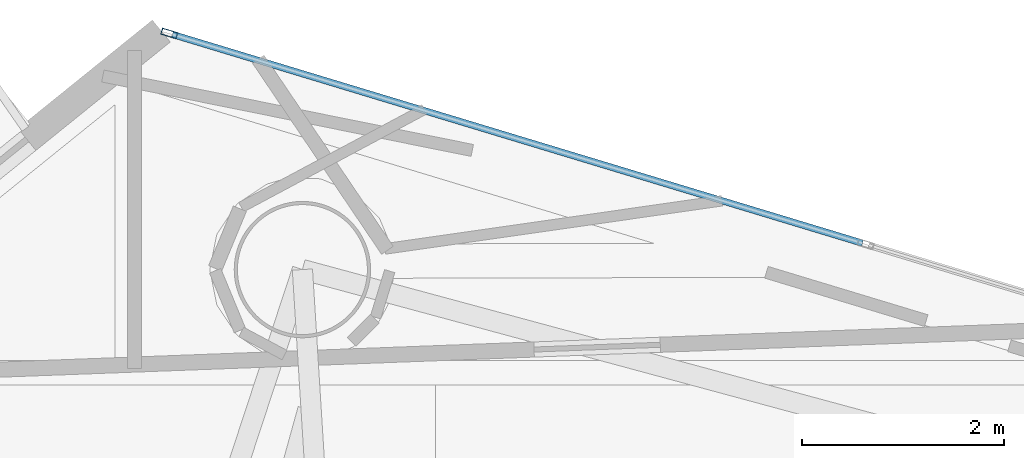
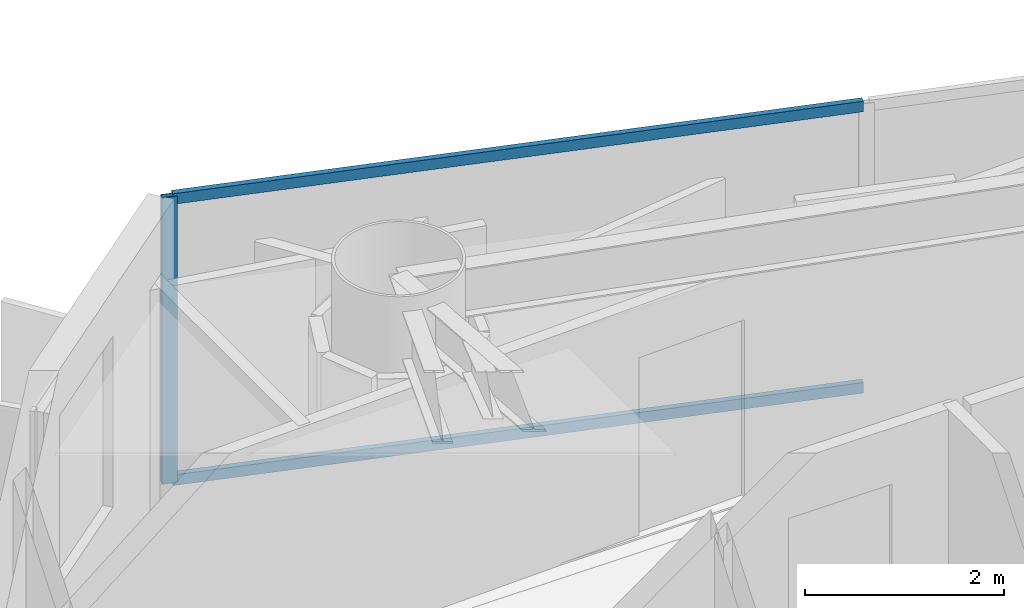
# One storey, part 16 of 22: 3 members, 1 element without a shape of its own.
"""IFC4 building model written with IfcOpenShell, lengths in metres."""

from ifc_helpers import new_model, si_unit, direction, frame, origin, origin_2d, place, context, subcontext, project, spatial, hollow_rectangle, extrude, material, layer, layer_set, material_profile, profile_set, type_object, element, aggregate, save


model = new_model("IFC4")

# Units and contexts
model_context = context("Model", 3, precision=1e-05, world=origin(), true_north=direction((0.0, 1.0)))
body_context = subcontext(model_context, "Body", "Model", "MODEL_VIEW")
ifc_project = project(units=[si_unit("LENGTHUNIT", "METRE"), si_unit("AREAUNIT", "SQUARE_METRE"), si_unit("VOLUMEUNIT", "CUBIC_METRE"), si_unit("PLANEANGLEUNIT", "RADIAN"), si_unit("MASSUNIT", "GRAM", prefix="KILO")], contexts=[model_context])

# Site, building, storey
site_placement = place(None, origin())
site = spatial("IfcSite", under=ifc_project, at=site_placement, CompositionType="ELEMENT")
building_placement = place(site_placement, origin())
building = spatial("IfcBuilding", under=site, at=building_placement, Name="Qianvela Tower", CompositionType="ELEMENT")
storey_placement = place(building_placement, frame((0.0, 0.0, 177.199951171875)))
storey = spatial("IfcBuildingStorey", under=building, at=storey_placement, Name="L45", CompositionType="ELEMENT", Elevation=177.199951171875)

# Curtain wall, members
ifc_material_1 = material(Name="Anodised Architectural Aluminium and Low-E Glass", Category="aluminium")
ifc_layer = layer(ifc_material_1, 0.169921875)
ifc_layer_set = layer_set([ifc_layer], Name="Anodised Architectural Aluminium and Low-E Glass")
curtain_wall_type = type_object("IfcCurtainWallType", Name="CW-COLIV-Z34", PredefinedType="USERDEFINED", material=ifc_layer_set)
curtain_wall_placement = place(storey_placement, origin())
curtain_wall = element("IfcCurtainWall", 1, at=curtain_wall_placement, inside=storey, type_object=curtain_wall_type, Name="L45 CW-COLIV-Z34 Curtain Wall 02C", ObjectType="CURTAIN_WALL_SYSTEM", PredefinedType="USERDEFINED")
ifc_material_2 = material(Name="Anodised Architectural Aluminium 6063-T6", Category="aluminium")
ifc_material_profile_1 = material_profile(ifc_material_2, hollow_rectangle(XDim=0.06494140625, YDim=0.159912109375, WallThickness=0.0048828125, at=origin_2d()), Name="ALU-MULL-65x160")
ifc_profile_set_1 = profile_set([ifc_material_profile_1], Name="Anodised Architectural Aluminium 6063-T6")
member_type_1 = type_object("IfcMemberType", Name="CW-COLIV-Z34-MULL", PredefinedType="MULLION", material=ifc_profile_set_1)
member_1_placement = place(storey_placement, frame((26.917236328125, 41.748046875, 0.0), z_axis=(0.0, 0.0, 1.0), x_axis=(-0.289584676809, -0.957152399024, 0.0)))
member_1 = element("IfcMember", 2, at=member_1_placement, type_object=member_type_1, Name="CW-4 mullion 3", PredefinedType="MULLION", context=body_context, shape_type="SweptSolid", body=[
    extrude(hollow_rectangle(XDim=0.06494140625, YDim=0.159912109375, WallThickness=0.0048828125, at=origin_2d()), origin(), (0.0, 0.0, 1.0), 3.52001953125),
])
ifc_material_3 = material(Name="Anodised Architectural Aluminium 6063-T6", Category="aluminium")
ifc_material_profile_2 = material_profile(ifc_material_3, hollow_rectangle(XDim=0.06494140625, YDim=0.1298828125, WallThickness=0.00439453125, at=origin_2d()), Name="ALU-TRAN-65x130")
ifc_profile_set_2 = profile_set([ifc_material_profile_2], Name="Anodised Architectural Aluminium 6063-T6")
member_type_2 = type_object("IfcMemberType", Name="CW-COLIV-Z34-TRAN", PredefinedType="USERDEFINED", material=ifc_profile_set_2)
member_2_placement = place(storey_placement, frame((33.77783203125, 39.67236328125, 0.032470703125), z_axis=(-0.957154097479, 0.289579062916, 0.0), x_axis=(-0.289579062916, -0.957154097479, 0.0)))
member_2 = element("IfcMember", 3, at=member_2_placement, type_object=member_type_2, Name="CW-4 transom 2.1", ObjectType="TRANSOM", PredefinedType="USERDEFINED", context=body_context, shape_type="SweptSolid", body=[
    extrude(hollow_rectangle(XDim=0.06494140625, YDim=0.1298828125, WallThickness=0.00439453125, at=origin_2d()), origin(), (0.0, 0.0, 1.0), 7.135009765625),
])
member_3_placement = place(storey_placement, frame((33.77783203125, 39.67236328125, 3.487548828125), z_axis=(-0.957154097479, 0.289579062916, 0.0), x_axis=(-0.289579062916, -0.957154097479, 0.0)))
member_3 = element("IfcMember", 4, at=member_3_placement, type_object=member_type_2, Name="CW-4 transom 2.2", ObjectType="TRANSOM", PredefinedType="USERDEFINED", context=body_context, shape_type="SweptSolid", body=[
    extrude(hollow_rectangle(XDim=0.06494140625, YDim=0.1298828125, WallThickness=0.00439453125, at=origin_2d()), origin(), (0.0, 0.0, 1.0), 7.135009765625),
])
aggregate(curtain_wall, [member_1, member_2, member_3])

save(model, "model.ifc")
